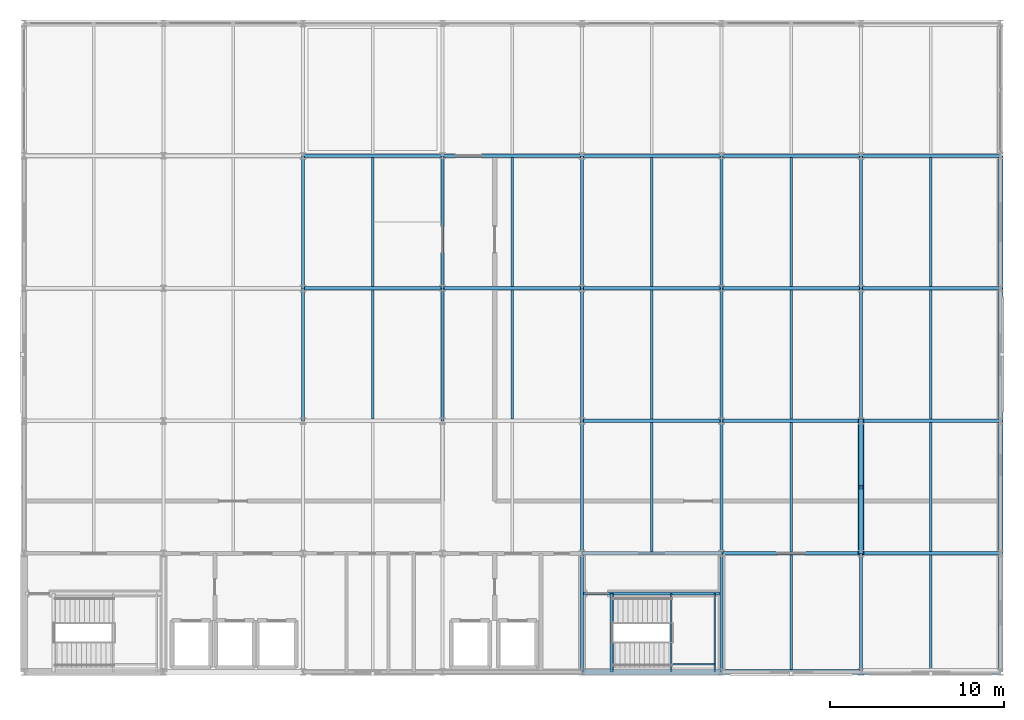
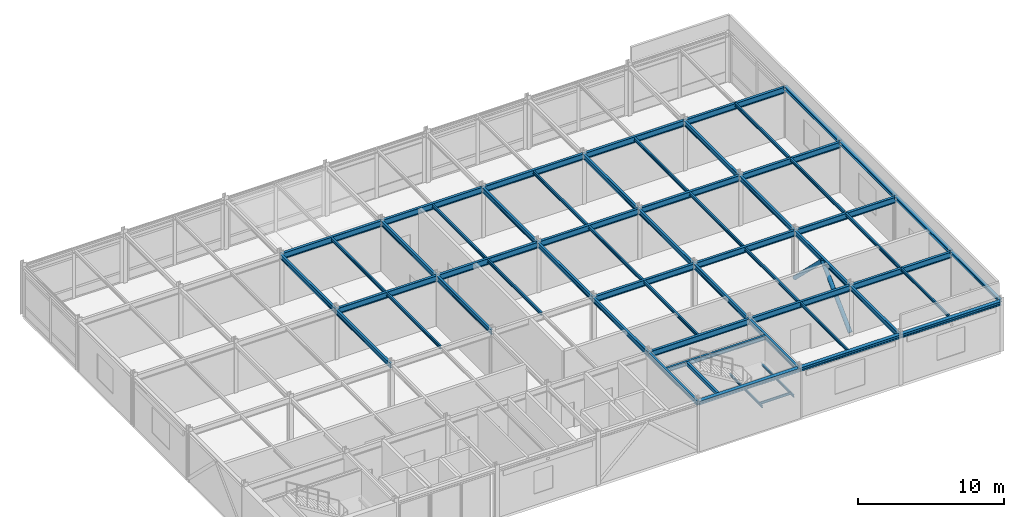
# One storey, part 6 of 16: 59 beams, 2 members.
"""IFC4 building model written with IfcOpenShell, lengths in metres."""

from ifc_helpers import new_model, si_unit, direction, frame, origin, origin_2d, place, context, subcontext, project, spatial, hollow_rectangle, hollow_circle, i_section, extrude, material, material_profile, profile_set, type_object, element, save


model = new_model("IFC4")

# Units and contexts
model_context = context("Model", 3, precision=1e-05, world=origin(), true_north=direction((0.0, 1.0)))
body_context = subcontext(model_context, "Body", "Model", "MODEL_VIEW")
ifc_project = project(units=[si_unit("LENGTHUNIT", "METRE"), si_unit("AREAUNIT", "SQUARE_METRE"), si_unit("VOLUMEUNIT", "CUBIC_METRE"), si_unit("PLANEANGLEUNIT", "RADIAN"), si_unit("MASSUNIT", "GRAM", prefix="KILO")], contexts=[model_context])

# Site, building, storey
site_placement = place(None, origin())
site = spatial("IfcSite", under=ifc_project, at=site_placement, CompositionType="ELEMENT")
building_placement = place(site_placement, origin())
building = spatial("IfcBuilding", under=site, at=building_placement, Name="Shalkamar Park Central Library", CompositionType="ELEMENT")
storey_placement = place(building_placement, frame((0.0, 0.0, 51.60009765625)))
storey = spatial("IfcBuildingStorey", under=building, at=storey_placement, Name="L13", CompositionType="ELEMENT", Elevation=51.60009765625)

# Beams
ifc_material = material(Name="Steel S355", Category="steel")
ifc_material_profile_1 = material_profile(ifc_material, i_section(OverallWidth=0.10009765625, OverallDepth=0.199951171875, WebThickness=0.005615234375, FlangeThickness=0.008544921875, FilletRadius=0.011962890625, at=origin_2d()), Name="IPE 200")
ifc_profile_set_1 = profile_set([ifc_material_profile_1], Name="Steel S355")
beam_type_1 = type_object("IfcBeamType", Name="Composite Floor Joist IPE200", PredefinedType="JOIST", material=ifc_profile_set_1)
for number, where, z_axis, x_axis, name in (
    (1, (202.1201171875, 248.39990234375, 1.869873046875), (0.0, 1.0, 0.0), (-1.0, 0.0, 0.0), "Stair Half-Landing Beam ST-T2-L13-1"),
    (2, (204.6201171875, 248.39990234375, 1.869873046875), (0.0, 1.0, 0.0), (-1.0, 0.0, 0.0), "Stair Half-Landing Beam ST-T2-L13-2"),
):
    element("IfcBeam", number, at=place(storey_placement, frame(where, z_axis=z_axis, x_axis=x_axis)), inside=storey, type_object=beam_type_1, Name=name, PredefinedType="JOIST", context=body_context, shape_type="SweptSolid", body=[
        extrude(i_section(OverallWidth=0.10009765625, OverallDepth=0.199951171875, WebThickness=0.005615234375, FlangeThickness=0.008544921875, FilletRadius=0.011962890625, at=origin_2d()), origin(), (0.0, 0.0, 1.0), 4.5),
    ])
beam_1_placement = place(storey_placement, frame((202.1201171875, 248.85009765625, 1.869873046875), z_axis=(1.0, 0.0, 0.0), x_axis=(0.0, 1.0, 0.0)))
element("IfcBeam", 3, at=beam_1_placement, inside=storey, type_object=beam_type_1, Name="Stair Half-Landing Cross Tie ST-T2-L13-3", PredefinedType="JOIST", context=body_context, shape_type="SweptSolid", body=[
    extrude(i_section(OverallWidth=0.10009765625, OverallDepth=0.199951171875, WebThickness=0.005615234375, FlangeThickness=0.008544921875, FilletRadius=0.011962890625, at=origin_2d()), origin(), (0.0, 0.0, 1.0), 2.5),
])
ifc_material_profile_2 = material_profile(ifc_material, i_section(OverallWidth=0.1201171875, OverallDepth=0.239990234375, WebThickness=0.006103515625, FlangeThickness=0.009765625, FilletRadius=0.014892578125, at=origin_2d()), Name="IPE 240")
ifc_profile_set_2 = profile_set([ifc_material_profile_2], Name="Steel S355")
beam_type_2 = type_object("IfcBeamType", Name="Composite Floor Joist IPE240", PredefinedType="JOIST", material=ifc_profile_set_2)
for number, where, z_axis, x_axis, name in (
    (4, (209.0, 248.548095703125, 4.059814453125), (0.0, 1.0, 0.0), (-1.0, 0.0, 0.0), "Composite Joist 12/B-1 (L13)"),
    (5, (217.0, 248.548095703125, 4.1298828125), (0.0, 1.0, 0.0), (-1.0, 0.0, 0.0), "Composite Joist 13/B-1 (L13)"),
):
    element("IfcBeam", number, at=place(storey_placement, frame(where, z_axis=z_axis, x_axis=x_axis)), inside=storey, type_object=beam_type_2, Name=name, PredefinedType="JOIST", context=body_context, shape_type="SweptSolid", body=[
        extrude(i_section(OverallWidth=0.1201171875, OverallDepth=0.239990234375, WebThickness=0.006103515625, FlangeThickness=0.009765625, FilletRadius=0.014892578125, at=origin_2d()), origin(), (0.0, 0.0, 1.0), 6.553955078125),
    ])
ifc_material_profile_3 = material_profile(ifc_material, i_section(OverallWidth=0.135009765625, OverallDepth=0.27001953125, WebThickness=0.006591796875, FlangeThickness=0.01025390625, FilletRadius=0.014892578125, at=origin_2d()), Name="IPE 270")
ifc_profile_set_3 = profile_set([ifc_material_profile_3], Name="Steel S355")
beam_type_3 = type_object("IfcBeamType", Name="Composite Floor Joist IPE270", PredefinedType="JOIST", material=ifc_profile_set_3)
for number, where, z_axis, x_axis, name in (
    (6, (185.0, 262.89794921875, 4.044921875), (0.0, 1.0, 0.0), (-1.0, 0.0, 0.0), "Composite Joist 09/D-1 (L13)"),
    (7, (185.0, 270.498046875, 4.044921875), (0.0, 1.0, 0.0), (-1.0, 0.0, 0.0), "Composite Joist 09/E-1 (L13)"),
    (8, (193.0, 262.89794921875, 4.044921875), (0.0, 1.0, 0.0), (-1.0, 0.0, 0.0), "Composite Joist 10/D-1 (L13)"),
    (9, (193.0, 270.498046875, 4.044921875), (0.0, 1.0, 0.0), (-1.0, 0.0, 0.0), "Composite Joist 10/E-1 (L13)"),
):
    element("IfcBeam", number, at=place(storey_placement, frame(where, z_axis=z_axis, x_axis=x_axis)), inside=storey, type_object=beam_type_3, Name=name, PredefinedType="JOIST", context=body_context, shape_type="SweptSolid", body=[
        extrude(i_section(OverallWidth=0.135009765625, OverallDepth=0.27001953125, WebThickness=0.006591796875, FlangeThickness=0.01025390625, FilletRadius=0.014892578125, at=origin_2d()), origin(), (0.0, 0.0, 1.0), 7.404052734375),
    ])
beam_2_placement = place(storey_placement, frame((201.0, 255.298095703125, 4.044921875), z_axis=(0.0, 1.0, 0.0), x_axis=(-1.0, 0.0, 0.0)))
element("IfcBeam", 10, at=beam_2_placement, inside=storey, type_object=beam_type_3, Name="Composite Joist 11/C-1 (L13)", PredefinedType="JOIST", context=body_context, shape_type="SweptSolid", body=[
    extrude(i_section(OverallWidth=0.135009765625, OverallDepth=0.27001953125, WebThickness=0.006591796875, FlangeThickness=0.01025390625, FilletRadius=0.014892578125, at=origin_2d()), origin(), (0.0, 0.0, 1.0), 7.40380859375),
])
for number, where, z_axis, x_axis, name in (
    (11, (201.0, 262.89794921875, 4.044921875), (0.0, 1.0, 0.0), (-1.0, 0.0, 0.0), "Composite Joist 11/D-1 (L13)"),
    (12, (201.0, 270.498046875, 4.044921875), (0.0, 1.0, 0.0), (-1.0, 0.0, 0.0), "Composite Joist 11/E-1 (L13)"),
):
    element("IfcBeam", number, at=place(storey_placement, frame(where, z_axis=z_axis, x_axis=x_axis)), inside=storey, type_object=beam_type_3, Name=name, PredefinedType="JOIST", context=body_context, shape_type="SweptSolid", body=[
        extrude(i_section(OverallWidth=0.135009765625, OverallDepth=0.27001953125, WebThickness=0.006591796875, FlangeThickness=0.01025390625, FilletRadius=0.014892578125, at=origin_2d()), origin(), (0.0, 0.0, 1.0), 7.404052734375),
    ])
beam_3_placement = place(storey_placement, frame((209.0, 255.298095703125, 4.044921875), z_axis=(0.0, 1.0, 0.0), x_axis=(-1.0, 0.0, 0.0)))
element("IfcBeam", 13, at=beam_3_placement, inside=storey, type_object=beam_type_3, Name="Composite Joist 12/C-1 (L13)", PredefinedType="JOIST", context=body_context, shape_type="SweptSolid", body=[
    extrude(i_section(OverallWidth=0.135009765625, OverallDepth=0.27001953125, WebThickness=0.006591796875, FlangeThickness=0.01025390625, FilletRadius=0.014892578125, at=origin_2d()), origin(), (0.0, 0.0, 1.0), 7.40380859375),
])
for number, where, z_axis, x_axis, name in (
    (14, (209.0, 262.89794921875, 4.044921875), (0.0, 1.0, 0.0), (-1.0, 0.0, 0.0), "Composite Joist 12/D-1 (L13)"),
    (15, (209.0, 270.498046875, 4.044921875), (0.0, 1.0, 0.0), (-1.0, 0.0, 0.0), "Composite Joist 12/E-1 (L13)"),
):
    element("IfcBeam", number, at=place(storey_placement, frame(where, z_axis=z_axis, x_axis=x_axis)), inside=storey, type_object=beam_type_3, Name=name, PredefinedType="JOIST", context=body_context, shape_type="SweptSolid", body=[
        extrude(i_section(OverallWidth=0.135009765625, OverallDepth=0.27001953125, WebThickness=0.006591796875, FlangeThickness=0.01025390625, FilletRadius=0.014892578125, at=origin_2d()), origin(), (0.0, 0.0, 1.0), 7.404052734375),
    ])
beam_4_placement = place(storey_placement, frame((217.0, 255.298095703125, 4.114990234375), z_axis=(0.0, 1.0, 0.0), x_axis=(-1.0, 0.0, 0.0)))
element("IfcBeam", 16, at=beam_4_placement, inside=storey, type_object=beam_type_3, Name="Composite Joist 13/C-1 (L13)", PredefinedType="JOIST", context=body_context, shape_type="SweptSolid", body=[
    extrude(i_section(OverallWidth=0.135009765625, OverallDepth=0.27001953125, WebThickness=0.006591796875, FlangeThickness=0.01025390625, FilletRadius=0.014892578125, at=origin_2d()), origin(), (0.0, 0.0, 1.0), 7.40380859375),
])
for number, where, z_axis, x_axis, name in (
    (17, (217.0, 262.89794921875, 4.114990234375), (0.0, 1.0, 0.0), (-1.0, 0.0, 0.0), "Composite Joist 13/D-1 (L13)"),
    (18, (217.0, 270.498046875, 4.114990234375), (0.0, 1.0, 0.0), (-1.0, 0.0, 0.0), "Composite Joist 13/E-1 (L13)"),
):
    element("IfcBeam", number, at=place(storey_placement, frame(where, z_axis=z_axis, x_axis=x_axis)), inside=storey, type_object=beam_type_3, Name=name, PredefinedType="JOIST", context=body_context, shape_type="SweptSolid", body=[
        extrude(i_section(OverallWidth=0.135009765625, OverallDepth=0.27001953125, WebThickness=0.006591796875, FlangeThickness=0.01025390625, FilletRadius=0.014892578125, at=origin_2d()), origin(), (0.0, 0.0, 1.0), 7.404052734375),
    ])

# Members
ifc_material_profile_4 = material_profile(ifc_material, hollow_circle(Radius=0.161865234375, WallThickness=0.012451171875, at=origin_2d()), Name="CHS 323.9x12.5")
ifc_profile_set_4 = profile_set([ifc_material_profile_4], Name="Steel S355")
member_type = type_object("IfcMemberType", Name="Diagonal Brace CHS323", PredefinedType="BRACE", material=ifc_profile_set_4)
for number, where, z_axis, x_axis, name in (
    (19, (213.0, 255.199951171875, 0.14990234375), (0.0, 0.713655648874, 0.70049669152), (-1.0, 0.0, 0.0), "Chevron Brace TW-E Leg A (L13)"),
    (20, (213.0, 262.800048828125, 0.14990234375), (0.0, -0.713655648874, 0.70049669152), (1.0, 0.0, 0.0), "Chevron Brace TW-E Leg B (L13)"),
):
    element("IfcMember", number, at=place(storey_placement, frame(where, z_axis=z_axis, x_axis=x_axis)), inside=storey, type_object=member_type, Name=name, PredefinedType="BRACE", context=body_context, shape_type="SweptSolid", body=[
        extrude(hollow_circle(Radius=0.161865234375, WallThickness=0.012451171875, at=origin_2d()), origin(), (0.0, 0.0, 1.0), 5.32470703125),
    ])

# Beams
ifc_material_profile_5 = material_profile(ifc_material, i_section(OverallWidth=0.239990234375, OverallDepth=0.22998046875, WebThickness=0.007568359375, FlangeThickness=0.011962890625, FilletRadius=0.02099609375, at=origin_2d()), Name="HEA 240")
ifc_profile_set_5 = profile_set([ifc_material_profile_5], Name="Steel S355")
beam_type_4 = type_object("IfcBeamType", Name="Perimeter Spandrel Beam HEA240", PredefinedType="SPANDREL", material=ifc_profile_set_5)
beam_5_placement = place(storey_placement, frame((221.0, 248.39990234375, 4.135009765625), z_axis=(0.0, 1.0, 0.0), x_axis=(-1.0, 0.0, 0.0)))
element("IfcBeam", 21, at=beam_5_placement, inside=storey, type_object=beam_type_4, Name="Beam 14:B-C (L13)", PredefinedType="SPANDREL", context=body_context, shape_type="SweptSolid", body=[
    extrude(i_section(OverallWidth=0.239990234375, OverallDepth=0.22998046875, WebThickness=0.007568359375, FlangeThickness=0.011962890625, FilletRadius=0.02099609375, at=origin_2d()), origin(), (0.0, 0.0, 1.0), 6.800048828125),
])
ifc_material_profile_6 = material_profile(ifc_material, i_section(OverallWidth=0.280029296875, OverallDepth=0.27001953125, WebThickness=0.008056640625, FlangeThickness=0.012939453125, FilletRadius=0.02392578125, at=origin_2d()), Name="HEA 280")
ifc_profile_set_6 = profile_set([ifc_material_profile_6], Name="Steel S355")
beam_type_5 = type_object("IfcBeamType", Name="Perimeter Spandrel Beam HEA280", PredefinedType="SPANDREL", material=ifc_profile_set_6)
beam_6_placement = place(storey_placement, frame((221.0, 255.199951171875, 4.114990234375), z_axis=(0.0, 1.0, 0.0), x_axis=(-1.0, 0.0, 0.0)))
element("IfcBeam", 22, at=beam_6_placement, inside=storey, type_object=beam_type_5, Name="Beam 14:C-D (L13)", PredefinedType="SPANDREL", context=body_context, shape_type="SweptSolid", body=[
    extrude(i_section(OverallWidth=0.280029296875, OverallDepth=0.27001953125, WebThickness=0.008056640625, FlangeThickness=0.012939453125, FilletRadius=0.02392578125, at=origin_2d()), origin(), (0.0, 0.0, 1.0), 7.60009765625),
])
beam_7_placement = place(storey_placement, frame((221.0, 262.800048828125, 4.114990234375), z_axis=(0.0, 1.0, 0.0), x_axis=(-1.0, 0.0, 0.0)))
element("IfcBeam", 23, at=beam_7_placement, inside=storey, type_object=beam_type_5, Name="Beam 14:D-E (L13)", PredefinedType="SPANDREL", context=body_context, shape_type="SweptSolid", body=[
    extrude(i_section(OverallWidth=0.280029296875, OverallDepth=0.27001953125, WebThickness=0.008056640625, FlangeThickness=0.012939453125, FilletRadius=0.02392578125, at=origin_2d()), origin(), (0.0, 0.0, 1.0), 7.599853515625),
])
beam_8_placement = place(storey_placement, frame((221.0, 270.39990234375, 4.114990234375), z_axis=(0.0, 1.0, 0.0), x_axis=(-1.0, 0.0, 0.0)))
element("IfcBeam", 24, at=beam_8_placement, inside=storey, type_object=beam_type_5, Name="Beam 14:E-F (L13)", PredefinedType="SPANDREL", context=body_context, shape_type="SweptSolid", body=[
    extrude(i_section(OverallWidth=0.280029296875, OverallDepth=0.27001953125, WebThickness=0.008056640625, FlangeThickness=0.012939453125, FilletRadius=0.02392578125, at=origin_2d()), origin(), (0.0, 0.0, 1.0), 7.60009765625),
])
ifc_material_profile_7 = material_profile(ifc_material, i_section(OverallWidth=0.300048828125, OverallDepth=0.31005859375, WebThickness=0.009033203125, FlangeThickness=0.015380859375, FilletRadius=0.027099609375, at=origin_2d()), Name="HEA 320")
ifc_profile_set_7 = profile_set([ifc_material_profile_7], Name="Steel S355")
beam_type_6 = type_object("IfcBeamType", Name="Perimeter Spandrel Beam HEA320", PredefinedType="SPANDREL", material=ifc_profile_set_7)
for number, where, z_axis, x_axis, name in (
    (25, (197.0, 248.39990234375, 4.02490234375), (1.0, 0.0, 0.0), (0.0, 1.0, 0.0), "Beam B:11-12 (L13)"),
    (26, (205.0, 248.39990234375, 4.02490234375), (1.0, 0.0, 0.0), (0.0, 1.0, 0.0), "Beam B:12-13 (L13)"),
    (27, (213.0, 248.39990234375, 4.02490234375), (1.0, 0.0, 0.0), (0.0, 1.0, 0.0), "Beam B:13-14 (L13)"),
):
    element("IfcBeam", number, at=place(storey_placement, frame(where, z_axis=z_axis, x_axis=x_axis)), inside=storey, type_object=beam_type_6, Name=name, PredefinedType="SPANDREL", context=body_context, shape_type="SweptSolid", body=[
        extrude(i_section(OverallWidth=0.300048828125, OverallDepth=0.31005859375, WebThickness=0.009033203125, FlangeThickness=0.015380859375, FilletRadius=0.027099609375, at=origin_2d()), origin(), (0.0, 0.0, 1.0), 8.0),
    ])
ifc_material_profile_8 = material_profile(ifc_material, i_section(OverallWidth=0.169921875, OverallDepth=0.360107421875, WebThickness=0.008056640625, FlangeThickness=0.0126953125, FilletRadius=0.01806640625, at=origin_2d()), Name="IPE 360")
ifc_profile_set_8 = profile_set([ifc_material_profile_8], Name="Steel S355")
beam_type_7 = type_object("IfcBeamType", Name="Primary Girder IPE360", PredefinedType="BEAM", material=ifc_profile_set_8)
beam_9_placement = place(storey_placement, frame((197.087890625, 252.89990234375, 4.0), z_axis=(1.0, 0.0, 0.0), x_axis=(0.0, 1.0, 0.0)))
element("IfcBeam", 28, at=beam_9_placement, inside=storey, type_object=beam_type_7, Name="CORE-T2 Stairwell Divider Beam (L13)", PredefinedType="BEAM", context=body_context, shape_type="SweptSolid", body=[
    extrude(i_section(OverallWidth=0.169921875, OverallDepth=0.360107421875, WebThickness=0.008056640625, FlangeThickness=0.0126953125, FilletRadius=0.01806640625, at=origin_2d()), origin(), (0.0, 0.0, 1.0), 7.82421875),
])
ifc_material_profile_9 = material_profile(ifc_material, i_section(OverallWidth=0.179931640625, OverallDepth=0.39990234375, WebThickness=0.008544921875, FlangeThickness=0.013427734375, FilletRadius=0.02099609375, at=origin_2d()), Name="IPE 400")
ifc_profile_set_9 = profile_set([ifc_material_profile_9], Name="Steel S355")
beam_type_8 = type_object("IfcBeamType", Name="Primary Girder IPE400", PredefinedType="BEAM", material=ifc_profile_set_9)
beam_10_placement = place(storey_placement, frame((181.0, 262.800048828125, 3.97998046875), z_axis=(0.0, 1.0, 0.0), x_axis=(-1.0, 0.0, 0.0)))
element("IfcBeam", 29, at=beam_10_placement, inside=storey, type_object=beam_type_8, Name="Beam 09:D-E (L13)", PredefinedType="BEAM", context=body_context, shape_type="SweptSolid", body=[
    extrude(i_section(OverallWidth=0.179931640625, OverallDepth=0.39990234375, WebThickness=0.008544921875, FlangeThickness=0.013427734375, FilletRadius=0.02099609375, at=origin_2d()), origin(), (0.0, 0.0, 1.0), 7.599853515625),
])
beam_11_placement = place(storey_placement, frame((181.0, 270.39990234375, 3.97998046875), z_axis=(0.0, 1.0, 0.0), x_axis=(-1.0, 0.0, 0.0)))
element("IfcBeam", 30, at=beam_11_placement, inside=storey, type_object=beam_type_8, Name="Beam 09:E-F (L13)", PredefinedType="BEAM", context=body_context, shape_type="SweptSolid", body=[
    extrude(i_section(OverallWidth=0.179931640625, OverallDepth=0.39990234375, WebThickness=0.008544921875, FlangeThickness=0.013427734375, FilletRadius=0.02099609375, at=origin_2d()), origin(), (0.0, 0.0, 1.0), 7.60009765625),
])
beam_12_placement = place(storey_placement, frame((189.0, 262.800048828125, 3.97998046875), z_axis=(0.0, 1.0, 0.0), x_axis=(-1.0, 0.0, 0.0)))
element("IfcBeam", 31, at=beam_12_placement, inside=storey, type_object=beam_type_8, Name="Beam 10:D-E (L13)", PredefinedType="BEAM", context=body_context, shape_type="SweptSolid", body=[
    extrude(i_section(OverallWidth=0.179931640625, OverallDepth=0.39990234375, WebThickness=0.008544921875, FlangeThickness=0.013427734375, FilletRadius=0.02099609375, at=origin_2d()), origin(), (0.0, 0.0, 1.0), 7.599853515625),
])
beam_13_placement = place(storey_placement, frame((189.0, 270.39990234375, 3.97998046875), z_axis=(0.0, 1.0, 0.0), x_axis=(-1.0, 0.0, 0.0)))
element("IfcBeam", 32, at=beam_13_placement, inside=storey, type_object=beam_type_8, Name="Beam 10:E-F (L13)", PredefinedType="BEAM", context=body_context, shape_type="SweptSolid", body=[
    extrude(i_section(OverallWidth=0.179931640625, OverallDepth=0.39990234375, WebThickness=0.008544921875, FlangeThickness=0.013427734375, FilletRadius=0.02099609375, at=origin_2d()), origin(), (0.0, 0.0, 1.0), 7.60009765625),
])
beam_14_placement = place(storey_placement, frame((197.0, 248.39990234375, 3.97998046875), z_axis=(0.0, 1.0, 0.0), x_axis=(-1.0, 0.0, 0.0)))
element("IfcBeam", 33, at=beam_14_placement, inside=storey, type_object=beam_type_8, Name="Beam 11:B-C (L13)", PredefinedType="BEAM", context=body_context, shape_type="SweptSolid", body=[
    extrude(i_section(OverallWidth=0.179931640625, OverallDepth=0.39990234375, WebThickness=0.008544921875, FlangeThickness=0.013427734375, FilletRadius=0.02099609375, at=origin_2d()), origin(), (0.0, 0.0, 1.0), 6.800048828125),
])
beam_15_placement = place(storey_placement, frame((197.0, 255.199951171875, 3.97998046875), z_axis=(0.0, 1.0, 0.0), x_axis=(-1.0, 0.0, 0.0)))
element("IfcBeam", 34, at=beam_15_placement, inside=storey, type_object=beam_type_8, Name="Beam 11:C-D (L13)", PredefinedType="BEAM", context=body_context, shape_type="SweptSolid", body=[
    extrude(i_section(OverallWidth=0.179931640625, OverallDepth=0.39990234375, WebThickness=0.008544921875, FlangeThickness=0.013427734375, FilletRadius=0.02099609375, at=origin_2d()), origin(), (0.0, 0.0, 1.0), 7.60009765625),
])
beam_16_placement = place(storey_placement, frame((197.0, 262.800048828125, 3.97998046875), z_axis=(0.0, 1.0, 0.0), x_axis=(-1.0, 0.0, 0.0)))
element("IfcBeam", 35, at=beam_16_placement, inside=storey, type_object=beam_type_8, Name="Beam 11:D-E (L13)", PredefinedType="BEAM", context=body_context, shape_type="SweptSolid", body=[
    extrude(i_section(OverallWidth=0.179931640625, OverallDepth=0.39990234375, WebThickness=0.008544921875, FlangeThickness=0.013427734375, FilletRadius=0.02099609375, at=origin_2d()), origin(), (0.0, 0.0, 1.0), 7.599853515625),
])
beam_17_placement = place(storey_placement, frame((197.0, 270.39990234375, 3.97998046875), z_axis=(0.0, 1.0, 0.0), x_axis=(-1.0, 0.0, 0.0)))
element("IfcBeam", 36, at=beam_17_placement, inside=storey, type_object=beam_type_8, Name="Beam 11:E-F (L13)", PredefinedType="BEAM", context=body_context, shape_type="SweptSolid", body=[
    extrude(i_section(OverallWidth=0.179931640625, OverallDepth=0.39990234375, WebThickness=0.008544921875, FlangeThickness=0.013427734375, FilletRadius=0.02099609375, at=origin_2d()), origin(), (0.0, 0.0, 1.0), 7.60009765625),
])
beam_18_placement = place(storey_placement, frame((205.0, 248.39990234375, 3.97998046875), z_axis=(0.0, 1.0, 0.0), x_axis=(-1.0, 0.0, 0.0)))
element("IfcBeam", 37, at=beam_18_placement, inside=storey, type_object=beam_type_8, Name="Beam 12:B-C (L13)", PredefinedType="BEAM", context=body_context, shape_type="SweptSolid", body=[
    extrude(i_section(OverallWidth=0.179931640625, OverallDepth=0.39990234375, WebThickness=0.008544921875, FlangeThickness=0.013427734375, FilletRadius=0.02099609375, at=origin_2d()), origin(), (0.0, 0.0, 1.0), 6.800048828125),
])
beam_19_placement = place(storey_placement, frame((205.0, 255.199951171875, 3.97998046875), z_axis=(0.0, 1.0, 0.0), x_axis=(-1.0, 0.0, 0.0)))
element("IfcBeam", 38, at=beam_19_placement, inside=storey, type_object=beam_type_8, Name="Beam 12:C-D (L13)", PredefinedType="BEAM", context=body_context, shape_type="SweptSolid", body=[
    extrude(i_section(OverallWidth=0.179931640625, OverallDepth=0.39990234375, WebThickness=0.008544921875, FlangeThickness=0.013427734375, FilletRadius=0.02099609375, at=origin_2d()), origin(), (0.0, 0.0, 1.0), 7.60009765625),
])
beam_20_placement = place(storey_placement, frame((205.0, 262.800048828125, 3.97998046875), z_axis=(0.0, 1.0, 0.0), x_axis=(-1.0, 0.0, 0.0)))
element("IfcBeam", 39, at=beam_20_placement, inside=storey, type_object=beam_type_8, Name="Beam 12:D-E (L13)", PredefinedType="BEAM", context=body_context, shape_type="SweptSolid", body=[
    extrude(i_section(OverallWidth=0.179931640625, OverallDepth=0.39990234375, WebThickness=0.008544921875, FlangeThickness=0.013427734375, FilletRadius=0.02099609375, at=origin_2d()), origin(), (0.0, 0.0, 1.0), 7.599853515625),
])
beam_21_placement = place(storey_placement, frame((205.0, 270.39990234375, 3.97998046875), z_axis=(0.0, 1.0, 0.0), x_axis=(-1.0, 0.0, 0.0)))
element("IfcBeam", 40, at=beam_21_placement, inside=storey, type_object=beam_type_8, Name="Beam 12:E-F (L13)", PredefinedType="BEAM", context=body_context, shape_type="SweptSolid", body=[
    extrude(i_section(OverallWidth=0.179931640625, OverallDepth=0.39990234375, WebThickness=0.008544921875, FlangeThickness=0.013427734375, FilletRadius=0.02099609375, at=origin_2d()), origin(), (0.0, 0.0, 1.0), 7.60009765625),
])
beam_22_placement = place(storey_placement, frame((213.0, 248.39990234375, 3.97998046875), z_axis=(0.0, 1.0, 0.0), x_axis=(-1.0, 0.0, 0.0)))
element("IfcBeam", 41, at=beam_22_placement, inside=storey, type_object=beam_type_8, Name="Beam 13:B-C (L13)", PredefinedType="BEAM", context=body_context, shape_type="SweptSolid", body=[
    extrude(i_section(OverallWidth=0.179931640625, OverallDepth=0.39990234375, WebThickness=0.008544921875, FlangeThickness=0.013427734375, FilletRadius=0.02099609375, at=origin_2d()), origin(), (0.0, 0.0, 1.0), 6.800048828125),
])
beam_23_placement = place(storey_placement, frame((213.0, 255.199951171875, 3.97998046875), z_axis=(0.0, 1.0, 0.0), x_axis=(-1.0, 0.0, 0.0)))
element("IfcBeam", 42, at=beam_23_placement, inside=storey, type_object=beam_type_8, Name="Beam 13:C-D (L13)", PredefinedType="BEAM", context=body_context, shape_type="SweptSolid", body=[
    extrude(i_section(OverallWidth=0.179931640625, OverallDepth=0.39990234375, WebThickness=0.008544921875, FlangeThickness=0.013427734375, FilletRadius=0.02099609375, at=origin_2d()), origin(), (0.0, 0.0, 1.0), 7.60009765625),
])
beam_24_placement = place(storey_placement, frame((213.0, 262.800048828125, 3.97998046875), z_axis=(0.0, 1.0, 0.0), x_axis=(-1.0, 0.0, 0.0)))
element("IfcBeam", 43, at=beam_24_placement, inside=storey, type_object=beam_type_8, Name="Beam 13:D-E (L13)", PredefinedType="BEAM", context=body_context, shape_type="SweptSolid", body=[
    extrude(i_section(OverallWidth=0.179931640625, OverallDepth=0.39990234375, WebThickness=0.008544921875, FlangeThickness=0.013427734375, FilletRadius=0.02099609375, at=origin_2d()), origin(), (0.0, 0.0, 1.0), 7.599853515625),
])
beam_25_placement = place(storey_placement, frame((213.0, 270.39990234375, 3.97998046875), z_axis=(0.0, 1.0, 0.0), x_axis=(-1.0, 0.0, 0.0)))
element("IfcBeam", 44, at=beam_25_placement, inside=storey, type_object=beam_type_8, Name="Beam 13:E-F (L13)", PredefinedType="BEAM", context=body_context, shape_type="SweptSolid", body=[
    extrude(i_section(OverallWidth=0.179931640625, OverallDepth=0.39990234375, WebThickness=0.008544921875, FlangeThickness=0.013427734375, FilletRadius=0.02099609375, at=origin_2d()), origin(), (0.0, 0.0, 1.0), 7.60009765625),
])
ifc_material_profile_10 = material_profile(ifc_material, i_section(OverallWidth=0.199951171875, OverallDepth=0.5, WebThickness=0.01025390625, FlangeThickness=0.01611328125, FilletRadius=0.02099609375, at=origin_2d()), Name="IPE 500")
ifc_profile_set_10 = profile_set([ifc_material_profile_10], Name="Steel S355")
beam_type_9 = type_object("IfcBeamType", Name="Primary Girder IPE500", PredefinedType="BEAM", material=ifc_profile_set_10)
for number, where, z_axis, x_axis, name in (
    (45, (197.0, 255.199951171875, 3.929931640625), (1.0, 0.0, 0.0), (0.0, 1.0, 0.0), "Beam C:11-12 (L13)"),
    (46, (205.0, 255.199951171875, 3.929931640625), (1.0, 0.0, 0.0), (0.0, 1.0, 0.0), "Beam C:12-13 (L13)"),
    (47, (213.0, 255.199951171875, 3.929931640625), (1.0, 0.0, 0.0), (0.0, 1.0, 0.0), "Beam C:13-14 (L13)"),
    (48, (197.0, 262.800048828125, 3.929931640625), (1.0, 0.0, 0.0), (0.0, 1.0, 0.0), "Beam D:11-12 (L13)"),
    (49, (205.0, 262.800048828125, 3.929931640625), (1.0, 0.0, 0.0), (0.0, 1.0, 0.0), "Beam D:12-13 (L13)"),
    (50, (213.0, 262.800048828125, 3.929931640625), (1.0, 0.0, 0.0), (0.0, 1.0, 0.0), "Beam D:13-14 (L13)"),
    (51, (181.0, 270.39990234375, 3.929931640625), (1.0, 0.0, 0.0), (0.0, 1.0, 0.0), "Beam E:09-10 (L13)"),
    (52, (189.0, 270.39990234375, 3.929931640625), (1.0, 0.0, 0.0), (0.0, 1.0, 0.0), "Beam E:10-11 (L13)"),
    (53, (197.0, 270.39990234375, 3.929931640625), (1.0, 0.0, 0.0), (0.0, 1.0, 0.0), "Beam E:11-12 (L13)"),
    (54, (205.0, 270.39990234375, 3.929931640625), (1.0, 0.0, 0.0), (0.0, 1.0, 0.0), "Beam E:12-13 (L13)"),
    (55, (213.0, 270.39990234375, 3.929931640625), (1.0, 0.0, 0.0), (0.0, 1.0, 0.0), "Beam E:13-14 (L13)"),
    (56, (181.0, 278.0, 3.929931640625), (1.0, 0.0, 0.0), (0.0, 1.0, 0.0), "Beam F:09-10 (L13)"),
    (57, (189.0, 278.0, 3.929931640625), (1.0, 0.0, 0.0), (0.0, 1.0, 0.0), "Beam F:10-11 (L13)"),
    (58, (197.0, 278.0, 3.929931640625), (1.0, 0.0, 0.0), (0.0, 1.0, 0.0), "Beam F:11-12 (L13)"),
    (59, (205.0, 278.0, 3.929931640625), (1.0, 0.0, 0.0), (0.0, 1.0, 0.0), "Beam F:12-13 (L13)"),
    (60, (213.0, 278.0, 3.929931640625), (1.0, 0.0, 0.0), (0.0, 1.0, 0.0), "Beam F:13-14 (L13)"),
):
    element("IfcBeam", number, at=place(storey_placement, frame(where, z_axis=z_axis, x_axis=x_axis)), inside=storey, type_object=beam_type_9, Name=name, PredefinedType="BEAM", context=body_context, shape_type="SweptSolid", body=[
        extrude(i_section(OverallWidth=0.199951171875, OverallDepth=0.5, WebThickness=0.01025390625, FlangeThickness=0.01611328125, FilletRadius=0.02099609375, at=origin_2d()), origin(), (0.0, 0.0, 1.0), 8.0),
    ])
ifc_material_profile_11 = material_profile(ifc_material, hollow_rectangle(XDim=0.199951171875, YDim=0.300048828125, WallThickness=0.011962890625, InnerFilletRadius=0.011962890625, OuterFilletRadius=0.01806640625, at=origin_2d()), Name="RHS 300x200x12")
ifc_profile_set_11 = profile_set([ifc_material_profile_11], Name="Steel S355")
beam_type_10 = type_object("IfcBeamType", Name="Stair Trimmer Box RHS300x200", PredefinedType="BEAM", material=ifc_profile_set_11)
beam_26_placement = place(storey_placement, frame((198.699951171875, 248.39990234375, 4.02978515625), z_axis=(0.0, 1.0, 0.0), x_axis=(-1.0, 0.0, 0.0)))
element("IfcBeam", 61, at=beam_26_placement, inside=storey, type_object=beam_type_10, Name="Stair Arrival Trimmer Girder ST-T2-L13", PredefinedType="BEAM", context=body_context, shape_type="SweptSolid", body=[
    extrude(hollow_rectangle(XDim=0.199951171875, YDim=0.300048828125, WallThickness=0.011962890625, InnerFilletRadius=0.011962890625, OuterFilletRadius=0.01806640625, at=origin_2d()), origin(), (0.0, 0.0, 1.0), 4.5),
])

save(model, "model.ifc")
